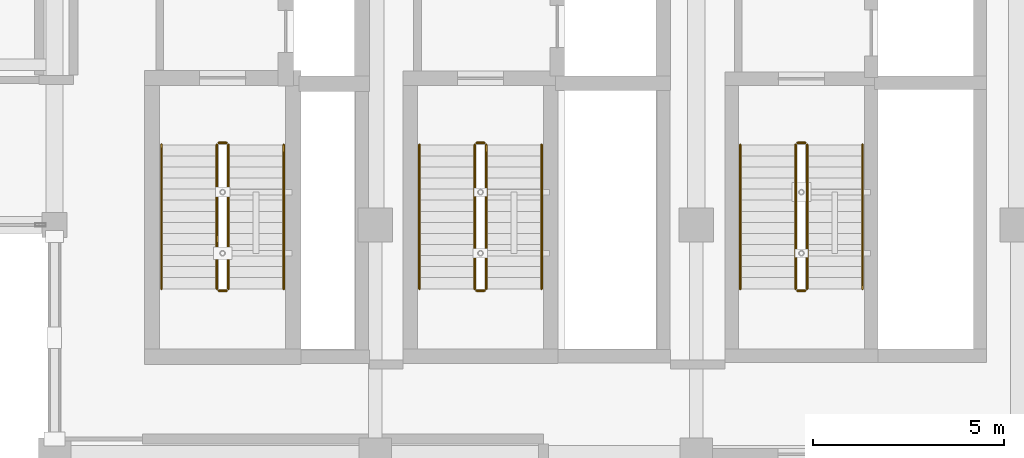
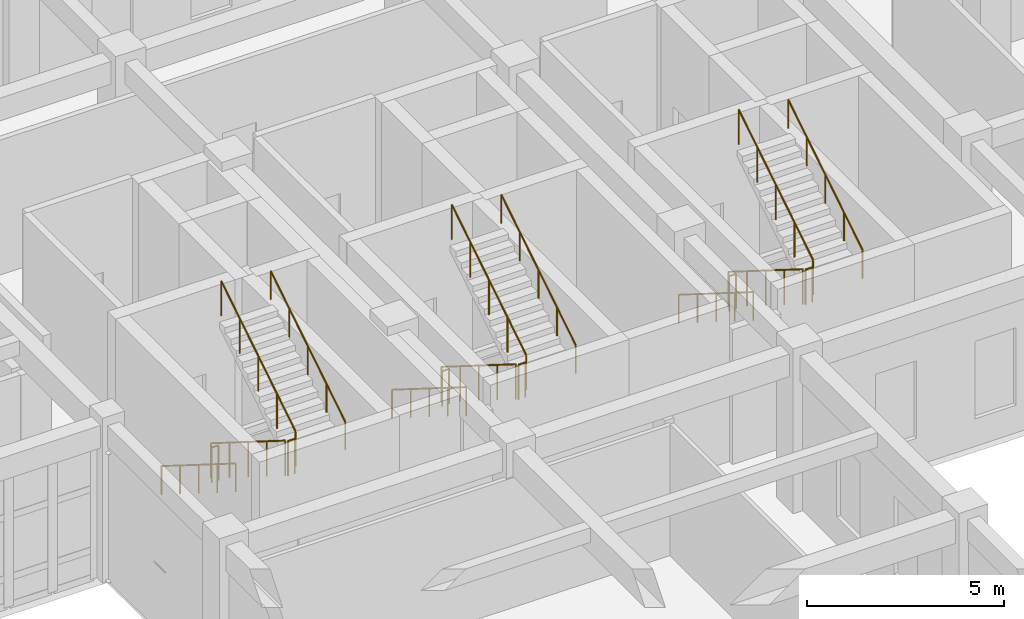
# One storey, part 79 of 80: 18 railings.
"""IFC4 building model written with IfcOpenShell, lengths in metres."""

from ifc_helpers import new_model, si_unit, direction, frame, origin, origin_2d, place, context, subcontext, project, spatial, circle, extrude, material, type_object, element, save


model = new_model("IFC4")

# Units and contexts
model_context = context("Model", 3, precision=1e-05, world=origin(), true_north=direction((0.0, 1.0)))
body_context = subcontext(model_context, "Body", "Model", "MODEL_VIEW")
ifc_project = project(units=[si_unit("LENGTHUNIT", "METRE"), si_unit("AREAUNIT", "SQUARE_METRE"), si_unit("VOLUMEUNIT", "CUBIC_METRE"), si_unit("PLANEANGLEUNIT", "RADIAN"), si_unit("MASSUNIT", "GRAM", prefix="KILO")], contexts=[model_context])

# Site, building, storey
site_placement = place(None, origin())
site = spatial("IfcSite", under=ifc_project, at=site_placement, CompositionType="ELEMENT")
building_placement = place(site_placement, origin())
building = spatial("IfcBuilding", under=site, at=building_placement, Name="Krzemoval Escarpment Law Courts", CompositionType="ELEMENT")
storey_placement = place(building_placement, origin())
storey = spatial("IfcBuildingStorey", under=building, at=storey_placement, Name="L00", CompositionType="ELEMENT", Elevation=0.0)

# Railings
ifc_material_1 = material(Name="Galvanised Steel S355", Category="steel")
railing_type_1 = type_object("IfcRailingType", Name="RL-GRD-1100", PredefinedType="GUARDRAIL", material=ifc_material_1)
railing_1_placement = place(storey_placement, frame((130.25, 101.699951171875, 0.18212890625)))
element("IfcRailing", 1, at=railing_1_placement, inside=storey, type_object=railing_type_1, Name="L00 ST1 stair guard 1", PredefinedType="GUARDRAIL", context=body_context, shape_type="SweptSolid", body=[
    extrude(circle(Radius=0.02392578125, at=origin_2d()), frame((0.0, 0.0, 1.076171875), z_axis=(0.0, -0.846819337722, 0.53188063441), x_axis=(1.0, 0.0, 0.0)), (0.0, 0.0, 1.0), 4.451904296875),
    extrude(circle(Radius=0.02099609375, at=origin_2d()), origin(), (0.0, 0.0, 1.0), 1.052001953125),
    extrude(circle(Radius=0.02099609375, at=origin_2d()), frame((0.0, -0.9423828125, 0.592041015625)), (0.0, 0.0, 1.0), 1.052001953125),
    extrude(circle(Radius=0.02099609375, at=origin_2d()), frame((0.0, -1.885009765625, 1.18408203125)), (0.0, 0.0, 1.0), 1.052001953125),
    extrude(circle(Radius=0.02099609375, at=origin_2d()), frame((0.0, -2.82763671875, 1.77587890625)), (0.0, 0.0, 1.0), 1.052001953125),
    extrude(circle(Radius=0.02099609375, at=origin_2d()), frame((0.0, -3.77001953125, 2.367919921875)), (0.0, 0.0, 1.0), 1.052001953125),
])
railing_2_placement = place(storey_placement, frame((130.300048828125, 97.8798828125, 2.550048828125)))
element("IfcRailing", 2, at=railing_2_placement, inside=storey, type_object=railing_type_1, Name="L00 ST1 stair guard 2", PredefinedType="GUARDRAIL", context=body_context, shape_type="SweptSolid", body=[
    extrude(circle(Radius=0.02392578125, at=origin_2d()), frame((0.0, 0.0, 1.076171875), z_axis=(1.0, 0.0, 0.0), x_axis=(0.0, 1.0, 0.0)), (0.0, 0.0, 1.0), 0.199951171875),
    extrude(circle(Radius=0.02099609375, at=origin_2d()), origin(), (0.0, 0.0, 1.0), 1.052001953125),
    extrude(circle(Radius=0.02099609375, at=origin_2d()), frame((0.199951171875, 0.0, 0.0)), (0.0, 0.0, 1.0), 1.052001953125),
])
railing_3_placement = place(storey_placement, frame((130.550048828125, 97.929931640625, 2.732177734375)))
element("IfcRailing", 3, at=railing_3_placement, inside=storey, type_object=railing_type_1, Name="L00 ST1 stair guard 3", PredefinedType="GUARDRAIL", context=body_context, shape_type="SweptSolid", body=[
    extrude(circle(Radius=0.02392578125, at=origin_2d()), frame((0.0, 0.0, 1.076171875), z_axis=(0.0, 0.846819337722, 0.53188063441), x_axis=(-1.0, 0.0, 0.0)), (0.0, 0.0, 1.0), 4.451904296875),
    extrude(circle(Radius=0.02099609375, at=origin_2d()), origin(), (0.0, 0.0, 1.0), 1.052001953125),
    extrude(circle(Radius=0.02099609375, at=origin_2d()), frame((0.0, 0.9423828125, 0.592041015625)), (0.0, 0.0, 1.0), 1.052001953125),
    extrude(circle(Radius=0.02099609375, at=origin_2d()), frame((0.0, 1.885009765625, 1.18408203125)), (0.0, 0.0, 1.0), 1.052001953125),
    extrude(circle(Radius=0.02099609375, at=origin_2d()), frame((0.0, 2.82763671875, 1.77587890625)), (0.0, 0.0, 1.0), 1.052001953125),
    extrude(circle(Radius=0.02099609375, at=origin_2d()), frame((0.0, 3.77001953125, 2.367919921875)), (0.0, 0.0, 1.0), 1.052001953125),
])
railing_4_placement = place(storey_placement, frame((130.300048828125, 101.75, 0.0)))
element("IfcRailing", 4, at=railing_4_placement, inside=storey, type_object=railing_type_1, Name="L00 ST1 stair guard 4", PredefinedType="GUARDRAIL", context=body_context, shape_type="SweptSolid", body=[
    extrude(circle(Radius=0.02392578125, at=origin_2d()), frame((0.0, 0.0, 1.076171875), z_axis=(1.0, 0.0, 0.0), x_axis=(0.0, 1.0, 0.0)), (0.0, 0.0, 1.0), 0.199951171875),
    extrude(circle(Radius=0.02099609375, at=origin_2d()), origin(), (0.0, 0.0, 1.0), 1.052001953125),
    extrude(circle(Radius=0.02099609375, at=origin_2d()), frame((0.199951171875, 0.0, 0.0)), (0.0, 0.0, 1.0), 1.052001953125),
])
railing_5_placement = place(storey_placement, frame((137.0, 101.699951171875, 0.18212890625)))
element("IfcRailing", 5, at=railing_5_placement, inside=storey, type_object=railing_type_1, Name="L00 ST2 stair guard 1", PredefinedType="GUARDRAIL", context=body_context, shape_type="SweptSolid", body=[
    extrude(circle(Radius=0.02392578125, at=origin_2d()), frame((0.0, 0.0, 1.076171875), z_axis=(0.0, -0.846819337722, 0.53188063441), x_axis=(1.0, 0.0, 0.0)), (0.0, 0.0, 1.0), 4.451904296875),
    extrude(circle(Radius=0.02099609375, at=origin_2d()), origin(), (0.0, 0.0, 1.0), 1.052001953125),
    extrude(circle(Radius=0.02099609375, at=origin_2d()), frame((0.0, -0.9423828125, 0.592041015625)), (0.0, 0.0, 1.0), 1.052001953125),
    extrude(circle(Radius=0.02099609375, at=origin_2d()), frame((0.0, -1.885009765625, 1.18408203125)), (0.0, 0.0, 1.0), 1.052001953125),
    extrude(circle(Radius=0.02099609375, at=origin_2d()), frame((0.0, -2.82763671875, 1.77587890625)), (0.0, 0.0, 1.0), 1.052001953125),
    extrude(circle(Radius=0.02099609375, at=origin_2d()), frame((0.0, -3.77001953125, 2.367919921875)), (0.0, 0.0, 1.0), 1.052001953125),
])
railing_6_placement = place(storey_placement, frame((137.050048828125, 97.8798828125, 2.550048828125)))
element("IfcRailing", 6, at=railing_6_placement, inside=storey, type_object=railing_type_1, Name="L00 ST2 stair guard 2", PredefinedType="GUARDRAIL", context=body_context, shape_type="SweptSolid", body=[
    extrude(circle(Radius=0.02392578125, at=origin_2d()), frame((0.0, 0.0, 1.076171875), z_axis=(1.0, 0.0, 0.0), x_axis=(0.0, 1.0, 0.0)), (0.0, 0.0, 1.0), 0.199951171875),
    extrude(circle(Radius=0.02099609375, at=origin_2d()), origin(), (0.0, 0.0, 1.0), 1.052001953125),
    extrude(circle(Radius=0.02099609375, at=origin_2d()), frame((0.199951171875, 0.0, 0.0)), (0.0, 0.0, 1.0), 1.052001953125),
])
railing_7_placement = place(storey_placement, frame((137.300048828125, 97.929931640625, 2.732177734375)))
element("IfcRailing", 7, at=railing_7_placement, inside=storey, type_object=railing_type_1, Name="L00 ST2 stair guard 3", PredefinedType="GUARDRAIL", context=body_context, shape_type="SweptSolid", body=[
    extrude(circle(Radius=0.02392578125, at=origin_2d()), frame((0.0, 0.0, 1.076171875), z_axis=(0.0, 0.846819337722, 0.53188063441), x_axis=(-1.0, 0.0, 0.0)), (0.0, 0.0, 1.0), 4.451904296875),
    extrude(circle(Radius=0.02099609375, at=origin_2d()), origin(), (0.0, 0.0, 1.0), 1.052001953125),
    extrude(circle(Radius=0.02099609375, at=origin_2d()), frame((0.0, 0.9423828125, 0.592041015625)), (0.0, 0.0, 1.0), 1.052001953125),
    extrude(circle(Radius=0.02099609375, at=origin_2d()), frame((0.0, 1.885009765625, 1.18408203125)), (0.0, 0.0, 1.0), 1.052001953125),
    extrude(circle(Radius=0.02099609375, at=origin_2d()), frame((0.0, 2.82763671875, 1.77587890625)), (0.0, 0.0, 1.0), 1.052001953125),
    extrude(circle(Radius=0.02099609375, at=origin_2d()), frame((0.0, 3.77001953125, 2.367919921875)), (0.0, 0.0, 1.0), 1.052001953125),
])
railing_8_placement = place(storey_placement, frame((137.050048828125, 101.75, 0.0)))
element("IfcRailing", 8, at=railing_8_placement, inside=storey, type_object=railing_type_1, Name="L00 ST2 stair guard 4", PredefinedType="GUARDRAIL", context=body_context, shape_type="SweptSolid", body=[
    extrude(circle(Radius=0.02392578125, at=origin_2d()), frame((0.0, 0.0, 1.076171875), z_axis=(1.0, 0.0, 0.0), x_axis=(0.0, 1.0, 0.0)), (0.0, 0.0, 1.0), 0.199951171875),
    extrude(circle(Radius=0.02099609375, at=origin_2d()), origin(), (0.0, 0.0, 1.0), 1.052001953125),
    extrude(circle(Radius=0.02099609375, at=origin_2d()), frame((0.199951171875, 0.0, 0.0)), (0.0, 0.0, 1.0), 1.052001953125),
])
railing_9_placement = place(storey_placement, frame((145.39990234375, 101.699951171875, 0.18212890625)))
element("IfcRailing", 9, at=railing_9_placement, inside=storey, type_object=railing_type_1, Name="L00 ST3 stair guard 1", PredefinedType="GUARDRAIL", context=body_context, shape_type="SweptSolid", body=[
    extrude(circle(Radius=0.02392578125, at=origin_2d()), frame((0.0, 0.0, 1.076171875), z_axis=(0.0, -0.846819337722, 0.53188063441), x_axis=(1.0, 0.0, 0.0)), (0.0, 0.0, 1.0), 4.451904296875),
    extrude(circle(Radius=0.02099609375, at=origin_2d()), origin(), (0.0, 0.0, 1.0), 1.052001953125),
    extrude(circle(Radius=0.02099609375, at=origin_2d()), frame((0.0, -0.9423828125, 0.592041015625)), (0.0, 0.0, 1.0), 1.052001953125),
    extrude(circle(Radius=0.02099609375, at=origin_2d()), frame((0.0, -1.885009765625, 1.18408203125)), (0.0, 0.0, 1.0), 1.052001953125),
    extrude(circle(Radius=0.02099609375, at=origin_2d()), frame((0.0, -2.82763671875, 1.77587890625)), (0.0, 0.0, 1.0), 1.052001953125),
    extrude(circle(Radius=0.02099609375, at=origin_2d()), frame((0.0, -3.77001953125, 2.367919921875)), (0.0, 0.0, 1.0), 1.052001953125),
])
railing_10_placement = place(storey_placement, frame((145.449951171875, 97.8798828125, 2.550048828125)))
element("IfcRailing", 10, at=railing_10_placement, inside=storey, type_object=railing_type_1, Name="L00 ST3 stair guard 2", PredefinedType="GUARDRAIL", context=body_context, shape_type="SweptSolid", body=[
    extrude(circle(Radius=0.02392578125, at=origin_2d()), frame((0.0, 0.0, 1.076171875), z_axis=(1.0, 0.0, 0.0), x_axis=(0.0, 1.0, 0.0)), (0.0, 0.0, 1.0), 0.199951171875),
    extrude(circle(Radius=0.02099609375, at=origin_2d()), origin(), (0.0, 0.0, 1.0), 1.052001953125),
    extrude(circle(Radius=0.02099609375, at=origin_2d()), frame((0.199951171875, 0.0, 0.0)), (0.0, 0.0, 1.0), 1.052001953125),
])
railing_11_placement = place(storey_placement, frame((145.699951171875, 97.929931640625, 2.732177734375)))
element("IfcRailing", 11, at=railing_11_placement, inside=storey, type_object=railing_type_1, Name="L00 ST3 stair guard 3", PredefinedType="GUARDRAIL", context=body_context, shape_type="SweptSolid", body=[
    extrude(circle(Radius=0.02392578125, at=origin_2d()), frame((0.0, 0.0, 1.076171875), z_axis=(0.0, 0.846819337722, 0.53188063441), x_axis=(-1.0, 0.0, 0.0)), (0.0, 0.0, 1.0), 4.451904296875),
    extrude(circle(Radius=0.02099609375, at=origin_2d()), origin(), (0.0, 0.0, 1.0), 1.052001953125),
    extrude(circle(Radius=0.02099609375, at=origin_2d()), frame((0.0, 0.9423828125, 0.592041015625)), (0.0, 0.0, 1.0), 1.052001953125),
    extrude(circle(Radius=0.02099609375, at=origin_2d()), frame((0.0, 1.885009765625, 1.18408203125)), (0.0, 0.0, 1.0), 1.052001953125),
    extrude(circle(Radius=0.02099609375, at=origin_2d()), frame((0.0, 2.82763671875, 1.77587890625)), (0.0, 0.0, 1.0), 1.052001953125),
    extrude(circle(Radius=0.02099609375, at=origin_2d()), frame((0.0, 3.77001953125, 2.367919921875)), (0.0, 0.0, 1.0), 1.052001953125),
])
railing_12_placement = place(storey_placement, frame((145.449951171875, 101.75, 0.0)))
element("IfcRailing", 12, at=railing_12_placement, inside=storey, type_object=railing_type_1, Name="L00 ST3 stair guard 4", PredefinedType="GUARDRAIL", context=body_context, shape_type="SweptSolid", body=[
    extrude(circle(Radius=0.02392578125, at=origin_2d()), frame((0.0, 0.0, 1.076171875), z_axis=(1.0, 0.0, 0.0), x_axis=(0.0, 1.0, 0.0)), (0.0, 0.0, 1.0), 0.199951171875),
    extrude(circle(Radius=0.02099609375, at=origin_2d()), origin(), (0.0, 0.0, 1.0), 1.052001953125),
    extrude(circle(Radius=0.02099609375, at=origin_2d()), frame((0.199951171875, 0.0, 0.0)), (0.0, 0.0, 1.0), 1.052001953125),
])
ifc_material_2 = material(Name="Brushed Stainless Steel Grade 304 Handrail", Category="steel")
railing_type_2 = type_object("IfcRailingType", Name="RL-HND-900", PredefinedType="HANDRAIL", material=ifc_material_2)
railing_13_placement = place(storey_placement, frame((128.800048828125, 101.699951171875, 0.18212890625)))
element("IfcRailing", 13, at=railing_13_placement, inside=storey, type_object=railing_type_2, Name="L00 ST1 stair handrail 1", PredefinedType="HANDRAIL", context=body_context, shape_type="SweptSolid", body=[
    extrude(circle(Radius=0.02392578125, at=origin_2d()), frame((0.0, 0.0, 0.8759765625), z_axis=(0.0, -0.846819337722, 0.53188063441), x_axis=(1.0, 0.0, 0.0)), (0.0, 0.0, 1.0), 4.451904296875),
    extrude(circle(Radius=0.02099609375, at=origin_2d()), origin(), (0.0, 0.0, 1.0), 0.851806640625),
    extrude(circle(Radius=0.02099609375, at=origin_2d()), frame((0.0, -0.9423828125, 0.592041015625)), (0.0, 0.0, 1.0), 0.851806640625),
    extrude(circle(Radius=0.02099609375, at=origin_2d()), frame((0.0, -1.885009765625, 1.18408203125)), (0.0, 0.0, 1.0), 0.851806640625),
    extrude(circle(Radius=0.02099609375, at=origin_2d()), frame((0.0, -2.82763671875, 1.77587890625)), (0.0, 0.0, 1.0), 0.851806640625),
    extrude(circle(Radius=0.02099609375, at=origin_2d()), frame((0.0, -3.77001953125, 2.367919921875)), (0.0, 0.0, 1.0), 0.851806640625),
])
railing_14_placement = place(storey_placement, frame((132.0, 97.929931640625, 2.732177734375)))
element("IfcRailing", 14, at=railing_14_placement, inside=storey, type_object=railing_type_2, Name="L00 ST1 stair handrail 2", PredefinedType="HANDRAIL", context=body_context, shape_type="SweptSolid", body=[
    extrude(circle(Radius=0.02392578125, at=origin_2d()), frame((0.0, 0.0, 0.8759765625), z_axis=(0.0, 0.846819337722, 0.53188063441), x_axis=(-1.0, 0.0, 0.0)), (0.0, 0.0, 1.0), 4.451904296875),
    extrude(circle(Radius=0.02099609375, at=origin_2d()), origin(), (0.0, 0.0, 1.0), 0.851806640625),
    extrude(circle(Radius=0.02099609375, at=origin_2d()), frame((0.0, 0.9423828125, 0.592041015625)), (0.0, 0.0, 1.0), 0.851806640625),
    extrude(circle(Radius=0.02099609375, at=origin_2d()), frame((0.0, 1.885009765625, 1.18408203125)), (0.0, 0.0, 1.0), 0.851806640625),
    extrude(circle(Radius=0.02099609375, at=origin_2d()), frame((0.0, 2.82763671875, 1.77587890625)), (0.0, 0.0, 1.0), 0.851806640625),
    extrude(circle(Radius=0.02099609375, at=origin_2d()), frame((0.0, 3.77001953125, 2.367919921875)), (0.0, 0.0, 1.0), 0.851806640625),
])
railing_15_placement = place(storey_placement, frame((135.550048828125, 101.699951171875, 0.18212890625)))
element("IfcRailing", 15, at=railing_15_placement, inside=storey, type_object=railing_type_2, Name="L00 ST2 stair handrail 1", PredefinedType="HANDRAIL", context=body_context, shape_type="SweptSolid", body=[
    extrude(circle(Radius=0.02392578125, at=origin_2d()), frame((0.0, 0.0, 0.8759765625), z_axis=(0.0, -0.846819337722, 0.53188063441), x_axis=(1.0, 0.0, 0.0)), (0.0, 0.0, 1.0), 4.451904296875),
    extrude(circle(Radius=0.02099609375, at=origin_2d()), origin(), (0.0, 0.0, 1.0), 0.851806640625),
    extrude(circle(Radius=0.02099609375, at=origin_2d()), frame((0.0, -0.9423828125, 0.592041015625)), (0.0, 0.0, 1.0), 0.851806640625),
    extrude(circle(Radius=0.02099609375, at=origin_2d()), frame((0.0, -1.885009765625, 1.18408203125)), (0.0, 0.0, 1.0), 0.851806640625),
    extrude(circle(Radius=0.02099609375, at=origin_2d()), frame((0.0, -2.82763671875, 1.77587890625)), (0.0, 0.0, 1.0), 0.851806640625),
    extrude(circle(Radius=0.02099609375, at=origin_2d()), frame((0.0, -3.77001953125, 2.367919921875)), (0.0, 0.0, 1.0), 0.851806640625),
])
railing_16_placement = place(storey_placement, frame((138.75, 97.929931640625, 2.732177734375)))
element("IfcRailing", 16, at=railing_16_placement, inside=storey, type_object=railing_type_2, Name="L00 ST2 stair handrail 2", PredefinedType="HANDRAIL", context=body_context, shape_type="SweptSolid", body=[
    extrude(circle(Radius=0.02392578125, at=origin_2d()), frame((0.0, 0.0, 0.8759765625), z_axis=(0.0, 0.846819337722, 0.53188063441), x_axis=(-1.0, 0.0, 0.0)), (0.0, 0.0, 1.0), 4.451904296875),
    extrude(circle(Radius=0.02099609375, at=origin_2d()), origin(), (0.0, 0.0, 1.0), 0.851806640625),
    extrude(circle(Radius=0.02099609375, at=origin_2d()), frame((0.0, 0.9423828125, 0.592041015625)), (0.0, 0.0, 1.0), 0.851806640625),
    extrude(circle(Radius=0.02099609375, at=origin_2d()), frame((0.0, 1.885009765625, 1.18408203125)), (0.0, 0.0, 1.0), 0.851806640625),
    extrude(circle(Radius=0.02099609375, at=origin_2d()), frame((0.0, 2.82763671875, 1.77587890625)), (0.0, 0.0, 1.0), 0.851806640625),
    extrude(circle(Radius=0.02099609375, at=origin_2d()), frame((0.0, 3.77001953125, 2.367919921875)), (0.0, 0.0, 1.0), 0.851806640625),
])
railing_17_placement = place(storey_placement, frame((143.949951171875, 101.699951171875, 0.18212890625)))
element("IfcRailing", 17, at=railing_17_placement, inside=storey, type_object=railing_type_2, Name="L00 ST3 stair handrail 1", PredefinedType="HANDRAIL", context=body_context, shape_type="SweptSolid", body=[
    extrude(circle(Radius=0.02392578125, at=origin_2d()), frame((0.0, 0.0, 0.8759765625), z_axis=(0.0, -0.846819337722, 0.53188063441), x_axis=(1.0, 0.0, 0.0)), (0.0, 0.0, 1.0), 4.451904296875),
    extrude(circle(Radius=0.02099609375, at=origin_2d()), origin(), (0.0, 0.0, 1.0), 0.851806640625),
    extrude(circle(Radius=0.02099609375, at=origin_2d()), frame((0.0, -0.9423828125, 0.592041015625)), (0.0, 0.0, 1.0), 0.851806640625),
    extrude(circle(Radius=0.02099609375, at=origin_2d()), frame((0.0, -1.885009765625, 1.18408203125)), (0.0, 0.0, 1.0), 0.851806640625),
    extrude(circle(Radius=0.02099609375, at=origin_2d()), frame((0.0, -2.82763671875, 1.77587890625)), (0.0, 0.0, 1.0), 0.851806640625),
    extrude(circle(Radius=0.02099609375, at=origin_2d()), frame((0.0, -3.77001953125, 2.367919921875)), (0.0, 0.0, 1.0), 0.851806640625),
])
railing_18_placement = place(storey_placement, frame((147.14990234375, 97.929931640625, 2.732177734375)))
element("IfcRailing", 18, at=railing_18_placement, inside=storey, type_object=railing_type_2, Name="L00 ST3 stair handrail 2", PredefinedType="HANDRAIL", context=body_context, shape_type="SweptSolid", body=[
    extrude(circle(Radius=0.02392578125, at=origin_2d()), frame((0.0, 0.0, 0.8759765625), z_axis=(0.0, 0.846819337722, 0.53188063441), x_axis=(-1.0, 0.0, 0.0)), (0.0, 0.0, 1.0), 4.451904296875),
    extrude(circle(Radius=0.02099609375, at=origin_2d()), origin(), (0.0, 0.0, 1.0), 0.851806640625),
    extrude(circle(Radius=0.02099609375, at=origin_2d()), frame((0.0, 0.9423828125, 0.592041015625)), (0.0, 0.0, 1.0), 0.851806640625),
    extrude(circle(Radius=0.02099609375, at=origin_2d()), frame((0.0, 1.885009765625, 1.18408203125)), (0.0, 0.0, 1.0), 0.851806640625),
    extrude(circle(Radius=0.02099609375, at=origin_2d()), frame((0.0, 2.82763671875, 1.77587890625)), (0.0, 0.0, 1.0), 0.851806640625),
    extrude(circle(Radius=0.02099609375, at=origin_2d()), frame((0.0, 3.77001953125, 2.367919921875)), (0.0, 0.0, 1.0), 0.851806640625),
])

save(model, "model.ifc")
